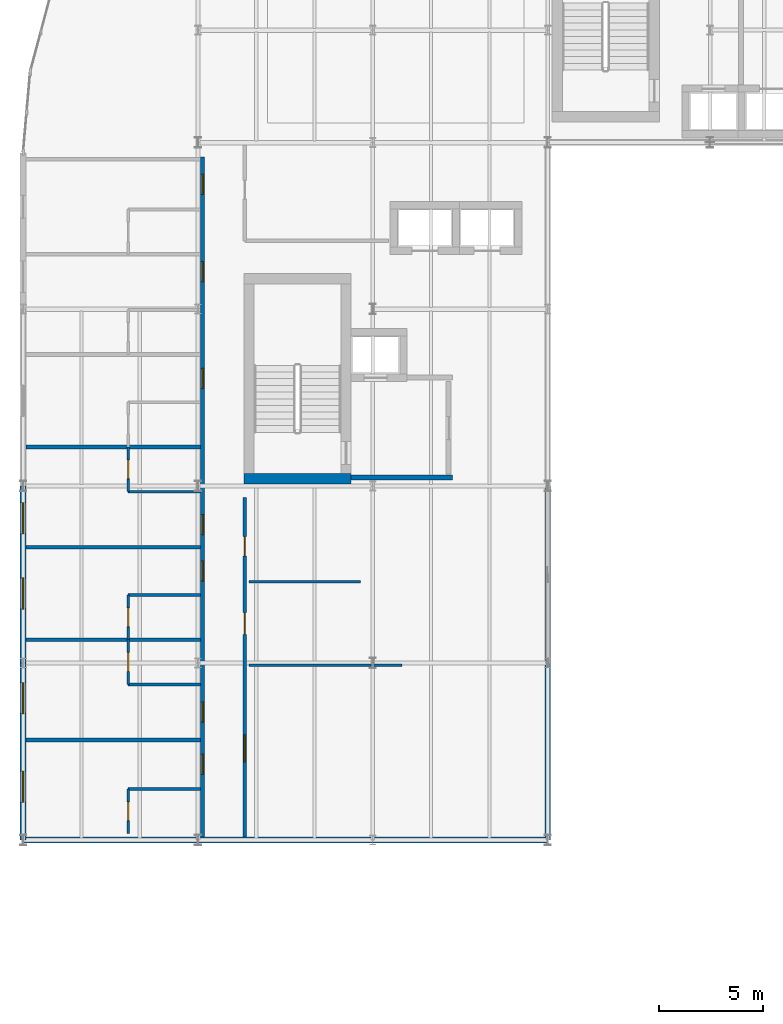
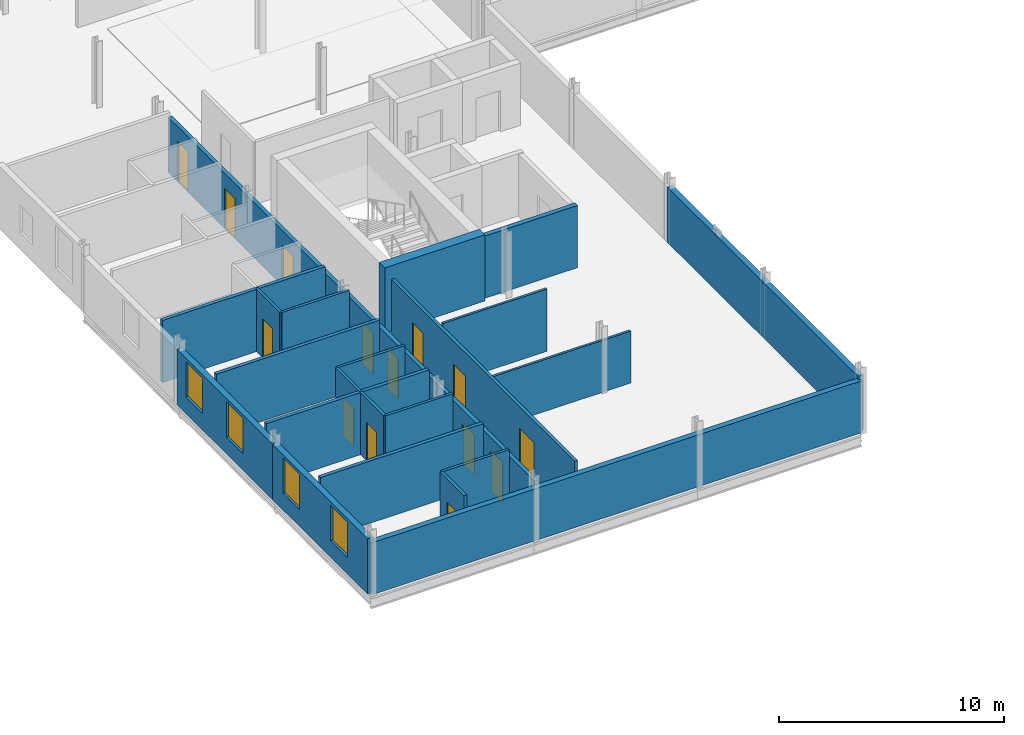
# One storey, part 17 of 30: 22 walls, 14 doors, 4 windows, 18 openings.
"""IFC4 building model written with IfcOpenShell, lengths in metres."""

from ifc_helpers import new_model, si_unit, direction, frame, frame_2d, origin, place, context, subcontext, project, spatial, rectangle, extrude, material, layer, layer_set, type_object, element, fill, save


model = new_model("IFC4")

# Units and contexts
model_context = context("Model", 3, precision=1e-05, world=origin(), true_north=direction((0.0, 1.0)))
body_context = subcontext(model_context, "Body", "Model", "MODEL_VIEW")
ifc_project = project(units=[si_unit("LENGTHUNIT", "METRE"), si_unit("AREAUNIT", "SQUARE_METRE"), si_unit("VOLUMEUNIT", "CUBIC_METRE"), si_unit("PLANEANGLEUNIT", "RADIAN"), si_unit("MASSUNIT", "GRAM", prefix="KILO")], contexts=[model_context])

# Site, building, storey
site_placement = place(None, origin())
site = spatial("IfcSite", under=ifc_project, at=site_placement, CompositionType="ELEMENT")
building_placement = place(site_placement, origin())
building = spatial("IfcBuilding", under=site, at=building_placement, Name="Sefraquen Railside Congress Hotel", CompositionType="ELEMENT")
storey_placement = place(building_placement, frame((0.0, 0.0, 35.39990234375)))
storey = spatial("IfcBuildingStorey", under=building, at=storey_placement, Name="L08", CompositionType="ELEMENT", Elevation=35.39990234375)

# Walls
ifc_material_1 = material(Name="Concrete C50/60", Category="concrete")
ifc_layer_1 = layer(ifc_material_1, 0.5)
ifc_layer_set_1 = layer_set([ifc_layer_1], Name="Concrete C50/60")
wall_type_1 = type_object("IfcWallType", Name="TW-CW-500", PredefinedType="SHEAR", material=ifc_layer_set_1)
wall_1_placement = place(storey_placement, frame((10.60009765625, 79.85009765625, 0.0), z_axis=(0.0, 0.0, 1.0), x_axis=(1.0, 0.0, 0.0)))
element("IfcWall", 1, at=wall_1_placement, inside=storey, type_object=wall_type_1, Name="Core shear wall ST-H01 S L08", PredefinedType="SHEAR", context=body_context, shape_type="SweptSolid", body=[
    extrude(rectangle(XDim=5.159912109375, YDim=0.5, at=frame_2d((2.580078125, 0.0))), origin(), (0.0, 0.0, 1.0), 3.60009765625),
])
ifc_material_2 = material(Name="Ochre Rabat calcarenite limestone and Concrete C40/50 backing", Category="masonry")
ifc_layer_2 = layer(ifc_material_2, 0.280029296875)
ifc_layer_set_2 = layer_set([ifc_layer_2], Name="Ochre Rabat calcarenite limestone and Concrete C40/50 backing")
wall_type_2 = type_object("IfcWallType", Name="TW-EW-280", PredefinedType="STANDARD", material=ifc_layer_set_2)
wall_2_placement = place(storey_placement, frame((0.0, 62.5, 0.0), z_axis=(0.0, 0.0, 1.0), x_axis=(1.0, 0.0, 0.0)))
element("IfcWall", 2, at=wall_2_placement, inside=storey, type_object=wall_type_2, Name="Hotel L08 south-west return wall", PredefinedType="STANDARD", context=body_context, shape_type="SweptSolid", body=[
    extrude(rectangle(XDim=25.199951171875, YDim=0.280029296875, at=frame_2d((12.60009765625, 0.0))), origin(), (0.0, 0.0, 1.0), 2.820068359375),
])
wall_3_placement = place(storey_placement, frame((25.199951171875, 62.5, 0.0), z_axis=(0.0, 0.0, 1.0), x_axis=(0.0, 1.0, 0.0)))
element("IfcWall", 3, at=wall_3_placement, inside=storey, type_object=wall_type_2, Name="Hotel L08 courtyard return wall", PredefinedType="STANDARD", context=body_context, shape_type="SweptSolid", body=[
    extrude(rectangle(XDim=17.0, YDim=0.280029296875, at=frame_2d((8.5, 0.0))), origin(), (0.0, 0.0, 1.0), 3.010009765625),
])

# Wall, openings, windows
ifc_layer_3 = layer(ifc_material_2, 0.300048828125)
ifc_layer_set_3 = layer_set([ifc_layer_3], Name="Ochre Rabat calcarenite limestone and Concrete C40/50 backing")
wall_type_3 = type_object("IfcWallType", Name="TW-EW-300", PredefinedType="STANDARD", material=ifc_layer_set_3)
wall_4_placement = place(storey_placement, frame((0.0, 62.5, 0.0), z_axis=(0.0, 0.0, 1.0), x_axis=(0.0, 1.0, 0.0)))
wall_4 = element("IfcWall", 4, at=wall_4_placement, inside=storey, type_object=wall_type_3, Name="Hotel L08 West Forecourt facade wall", PredefinedType="STANDARD", context=body_context, shape_type="SweptSolid", body=[
    extrude(rectangle(XDim=8.5, YDim=0.300048828125, at=frame_2d((4.25, 0.0))), origin(), (0.0, 0.0, 1.0), 3.010009765625),
])
opening_1_placement = place(wall_4_placement, frame((1.802001953125, 0.0, 0.89990234375)))
opening_1 = element("IfcOpeningElement", 5, at=opening_1_placement, cuts=wall_4, Name="Opening WN-15", PredefinedType="OPENING", context=body_context, shape_type="SweptSolid", body=[
    extrude(rectangle(XDim=1.5, YDim=1.929931640625, at=frame_2d((0.75, 0.96484375))), frame((0.0, 0.159912109375, 0.0), z_axis=(0.0, -1.0, 0.0), x_axis=(1.0, 0.0, 0.0)), (0.0, 0.0, 1.0), 0.320068359375),
])
opening_2_placement = place(wall_4_placement, frame((6.06201171875, 0.0, 0.89990234375)))
opening_2 = element("IfcOpeningElement", 6, at=opening_2_placement, cuts=wall_4, Name="Opening WN-16", PredefinedType="OPENING", context=body_context, shape_type="SweptSolid", body=[
    extrude(rectangle(XDim=1.5, YDim=1.929931640625, at=frame_2d((0.75, 0.96484375))), frame((0.0, 0.159912109375, 0.0), z_axis=(0.0, -1.0, 0.0), x_axis=(1.0, 0.0, 0.0)), (0.0, 0.0, 1.0), 0.320068359375),
])
ifc_material_3 = material(Name="Solar-control low-E double glazing in bronze-anodised frame", Category="glass")
window_type_1 = type_object("IfcWindowType", Name="TWN-W-15", PartitioningType="DOUBLE_PANEL_VERTICAL", PredefinedType="WINDOW", material=ifc_material_3)
window_1_placement = place(opening_1_placement, origin())
window_1 = element("IfcWindow", 7, at=window_1_placement, inside=storey, type_object=window_type_1, Name="Guest room west window SP-L08-RM-027", OverallHeight=1.929931640625, OverallWidth=1.5, PartitioningType="DOUBLE_PANEL_VERTICAL", PredefinedType="WINDOW", context=body_context, shape_type="SweptSolid", body=[
    extrude(rectangle(XDim=1.5, YDim=1.929931640625, at=frame_2d((0.75, 0.96484375))), frame((0.0, 0.030029296875, 0.0), z_axis=(0.0, -1.0, 0.0), x_axis=(1.0, 0.0, 0.0)), (0.0, 0.0, 1.0), 0.06005859375),
])
fill(opening_1, window_1)
window_type_2 = type_object("IfcWindowType", Name="TWN-W-16", PartitioningType="DOUBLE_PANEL_VERTICAL", PredefinedType="WINDOW", material=ifc_material_3)
window_2_placement = place(opening_2_placement, origin())
window_2 = element("IfcWindow", 8, at=window_2_placement, inside=storey, type_object=window_type_2, Name="Guest room west window SP-L08-RM-028", OverallHeight=1.929931640625, OverallWidth=1.5, PartitioningType="DOUBLE_PANEL_VERTICAL", PredefinedType="WINDOW", context=body_context, shape_type="SweptSolid", body=[
    extrude(rectangle(XDim=1.5, YDim=1.929931640625, at=frame_2d((0.75, 0.96484375))), frame((0.0, 0.030029296875, 0.0), z_axis=(0.0, -1.0, 0.0), x_axis=(1.0, 0.0, 0.0)), (0.0, 0.0, 1.0), 0.06005859375),
])
fill(opening_2, window_2)

wall_5_placement = place(storey_placement, frame((0.0, 71.0, 0.0), z_axis=(0.0, 0.0, 1.0), x_axis=(0.0, 1.0, 0.0)))
wall_5 = element("IfcWall", 9, at=wall_5_placement, inside=storey, type_object=wall_type_3, Name="Hotel L08 West Forecourt facade wall", PredefinedType="STANDARD", context=body_context, shape_type="SweptSolid", body=[
    extrude(rectangle(XDim=8.5, YDim=0.300048828125, at=frame_2d((4.25, 0.0))), origin(), (0.0, 0.0, 1.0), 3.010009765625),
])
opening_3_placement = place(wall_5_placement, frame((2.590087890625, 0.0, 0.89990234375)))
opening_3 = element("IfcOpeningElement", 10, at=opening_3_placement, cuts=wall_5, Name="Opening WN-17", PredefinedType="OPENING", context=body_context, shape_type="SweptSolid", body=[
    extrude(rectangle(XDim=1.5, YDim=1.929931640625, at=frame_2d((0.75, 0.96484375))), frame((0.0, 0.159912109375, 0.0), z_axis=(0.0, -1.0, 0.0), x_axis=(1.0, 0.0, 0.0)), (0.0, 0.0, 1.0), 0.320068359375),
])
opening_4_placement = place(wall_5_placement, frame((6.199951171875, 0.0, 0.89990234375)))
opening_4 = element("IfcOpeningElement", 11, at=opening_4_placement, cuts=wall_5, Name="Opening WN-18", PredefinedType="OPENING", context=body_context, shape_type="SweptSolid", body=[
    extrude(rectangle(XDim=1.5, YDim=1.929931640625, at=frame_2d((0.75, 0.96484375))), frame((0.0, 0.159912109375, 0.0), z_axis=(0.0, -1.0, 0.0), x_axis=(1.0, 0.0, 0.0)), (0.0, 0.0, 1.0), 0.320068359375),
])
window_type_3 = type_object("IfcWindowType", Name="TWN-W-17", PartitioningType="DOUBLE_PANEL_VERTICAL", PredefinedType="WINDOW", material=ifc_material_3)
window_3_placement = place(opening_3_placement, origin())
window_3 = element("IfcWindow", 12, at=window_3_placement, inside=storey, type_object=window_type_3, Name="Guest room west window SP-L08-RM-029", OverallHeight=1.929931640625, OverallWidth=1.5, PartitioningType="DOUBLE_PANEL_VERTICAL", PredefinedType="WINDOW", context=body_context, shape_type="SweptSolid", body=[
    extrude(rectangle(XDim=1.5, YDim=1.929931640625, at=frame_2d((0.75, 0.96484375))), frame((0.0, 0.030029296875, 0.0), z_axis=(0.0, -1.0, 0.0), x_axis=(1.0, 0.0, 0.0)), (0.0, 0.0, 1.0), 0.06005859375),
])
fill(opening_3, window_3)
window_type_4 = type_object("IfcWindowType", Name="TWN-W-18", PartitioningType="DOUBLE_PANEL_VERTICAL", PredefinedType="WINDOW", material=ifc_material_3)
window_4_placement = place(opening_4_placement, origin())
window_4 = element("IfcWindow", 13, at=window_4_placement, inside=storey, type_object=window_type_4, Name="Guest room west window SP-L08-RM-030", OverallHeight=1.929931640625, OverallWidth=1.5, PartitioningType="DOUBLE_PANEL_VERTICAL", PredefinedType="WINDOW", context=body_context, shape_type="SweptSolid", body=[
    extrude(rectangle(XDim=1.5, YDim=1.929931640625, at=frame_2d((0.75, 0.96484375))), frame((0.0, 0.030029296875, 0.0), z_axis=(0.0, -1.0, 0.0), x_axis=(1.0, 0.0, 0.0)), (0.0, 0.0, 1.0), 0.06005859375),
])
fill(opening_4, window_4)

# Walls
ifc_material_4 = material(Name="Concrete C40/50", Category="concrete")
ifc_layer_4 = layer(ifc_material_4, 0.239990234375)
ifc_layer_set_4 = layer_set([ifc_layer_4], Name="Concrete C40/50")
wall_type_4 = type_object("IfcWallType", Name="TW-FW-240", PredefinedType="STANDARD", material=ifc_layer_set_4)
wall_6_placement = place(storey_placement, frame((15.760009765625, 79.89990234375, 0.0), z_axis=(0.0, 0.0, 1.0), x_axis=(1.0, 0.0, 0.0)))
element("IfcWall", 14, at=wall_6_placement, inside=storey, type_object=wall_type_4, Name="Firefighting Lift Lobby FFL-01 S fire wall L08", PredefinedType="STANDARD", context=body_context, shape_type="SweptSolid", body=[
    extrude(rectangle(XDim=4.860107421875, YDim=0.239990234375, at=frame_2d((2.43017578125, 0.0))), origin(), (0.0, 0.0, 1.0), 3.380126953125),
])
ifc_material_5 = material(Name="Gypsum board on metal stud", Category="gypsum")
ifc_layer_5 = layer(ifc_material_5, 0.1201171875)
ifc_layer_set_5 = layer_set([ifc_layer_5], Name="Gypsum board on metal stud")
wall_type_5 = type_object("IfcWallType", Name="TW-PW-120", PredefinedType="PARTITIONING", material=ifc_layer_set_5)
wall_7_placement = place(storey_placement, frame((10.85009765625, 70.89990234375, 0.0), z_axis=(0.0, 0.0, 1.0), x_axis=(1.0, 0.0, 0.0)))
element("IfcWall", 15, at=wall_7_placement, inside=storey, type_object=wall_type_5, Name="Lounge-pantry divider L08", PredefinedType="PARTITIONING", context=body_context, shape_type="SweptSolid", body=[
    extrude(rectangle(XDim=7.349853515625, YDim=0.1201171875, at=frame_2d((3.6748046875, 0.0))), origin(), (0.0, 0.0, 1.0), 2.820068359375),
])
wall_8_placement = place(storey_placement, frame((10.85009765625, 74.89990234375, 0.0), z_axis=(0.0, 0.0, 1.0), x_axis=(1.0, 0.0, 0.0)))
element("IfcWall", 16, at=wall_8_placement, inside=storey, type_object=wall_type_5, Name="Pantry-WC divider L08", PredefinedType="PARTITIONING", context=body_context, shape_type="SweptSolid", body=[
    extrude(rectangle(XDim=5.349853515625, YDim=0.1201171875, at=frame_2d((2.6748046875, 0.0))), origin(), (0.0, 0.0, 1.0), 3.380126953125),
])
ifc_material_6 = material(Name="Moisture-resistant gypsum board", Category="gypsum")
ifc_layer_6 = layer(ifc_material_6, 0.139892578125)
ifc_layer_set_6 = layer_set([ifc_layer_6], Name="Moisture-resistant gypsum board")
wall_type_6 = type_object("IfcWallType", Name="TW-PW-140", PredefinedType="PARTITIONING", material=ifc_layer_set_6)
wall_9_placement = place(storey_placement, frame((5.050048828125, 64.949951171875, 0.0), z_axis=(0.0, 0.0, 1.0), x_axis=(1.0, 0.0, 0.0)))
element("IfcWall", 17, at=wall_9_placement, inside=storey, type_object=wall_type_6, Name="West en-suite bathroom north wall RM-027", PredefinedType="PARTITIONING", context=body_context, shape_type="SweptSolid", body=[
    extrude(rectangle(XDim=3.469970703125, YDim=0.139892578125, at=frame_2d((1.73486328125, 0.0))), origin(), (0.0, 0.0, 1.0), 3.380126953125),
])

# Wall, opening, door
wall_10_placement = place(storey_placement, frame((5.050048828125, 62.800048828125, 0.0), z_axis=(0.0, 0.0, 1.0), x_axis=(0.0, 1.0, 0.0)))
wall_10 = element("IfcWall", 18, at=wall_10_placement, inside=storey, type_object=wall_type_6, Name="West en-suite bathroom west wall RM-027", PredefinedType="PARTITIONING", context=body_context, shape_type="SweptSolid", body=[
    extrude(rectangle(XDim=2.14990234375, YDim=0.139892578125, at=frame_2d((1.074951171875, 0.0))), origin(), (0.0, 0.0, 1.0), 3.380126953125),
])
opening_5_placement = place(wall_10_placement, frame((0.625, 0.0, 0.0)))
opening_5 = element("IfcOpeningElement", 19, at=opening_5_placement, cuts=wall_10, Name="Opening ID-02", PredefinedType="OPENING", context=body_context, shape_type="SweptSolid", body=[
    extrude(rectangle(XDim=0.89990234375, YDim=2.10009765625, at=frame_2d((0.449951171875, 1.050048828125))), frame((0.0, 0.079833984375, 0.0), z_axis=(0.0, -1.0, 0.0), x_axis=(1.0, 0.0, 0.0)), (0.0, 0.0, 1.0), 0.159912109375),
])
ifc_material_7 = material(Name="Lacquered cedar joinery", Category="wood")
door_type_1 = type_object("IfcDoorType", Name="TD-ID-02", OperationType="NOTDEFINED", PredefinedType="DOOR", material=ifc_material_7)
door_1_placement = place(opening_5_placement, frame((0.89990234375, 0.0, 0.0), z_axis=(0.0, 0.0, 1.0), x_axis=(-1.0, 0.0, 0.0)))
door_1 = element("IfcDoor", 20, at=door_1_placement, inside=storey, type_object=door_type_1, Name="En-suite bathroom door RM-027", OperationType="SINGLE_SWING_LEFT", OverallHeight=2.10009765625, OverallWidth=0.89990234375, PredefinedType="DOOR", context=body_context, shape_type="SweptSolid", body=[
    extrude(rectangle(XDim=0.89990234375, YDim=2.10009765625, at=frame_2d((0.449951171875, 1.050048828125))), frame((0.0, 0.02490234375, 0.0), z_axis=(0.0, -1.0, 0.0), x_axis=(1.0, 0.0, 0.0)), (0.0, 0.0, 1.0), 0.050048828125),
])
fill(opening_5, door_1)

# Wall
wall_11_placement = place(storey_placement, frame((5.050048828125, 69.969970703125, 0.0), z_axis=(0.0, 0.0, 1.0), x_axis=(1.0, 0.0, 0.0)))
element("IfcWall", 21, at=wall_11_placement, inside=storey, type_object=wall_type_6, Name="West en-suite bathroom south wall RM-028", PredefinedType="PARTITIONING", context=body_context, shape_type="SweptSolid", body=[
    extrude(rectangle(XDim=3.469970703125, YDim=0.139892578125, at=frame_2d((1.73486328125, 0.0))), origin(), (0.0, 0.0, 1.0), 3.380126953125),
])

# Wall, opening, door
wall_12_placement = place(storey_placement, frame((5.050048828125, 69.969970703125, 0.0), z_axis=(0.0, 0.0, 1.0), x_axis=(0.0, 1.0, 0.0)))
wall_12 = element("IfcWall", 22, at=wall_12_placement, inside=storey, type_object=wall_type_6, Name="West en-suite bathroom west wall RM-028", PredefinedType="PARTITIONING", context=body_context, shape_type="SweptSolid", body=[
    extrude(rectangle(XDim=2.150146484375, YDim=0.139892578125, at=frame_2d((1.0751953125, 0.0))), origin(), (0.0, 0.0, 1.0), 3.380126953125),
])
opening_6_placement = place(wall_12_placement, frame((0.625, 0.0, 0.0)))
opening_6 = element("IfcOpeningElement", 23, at=opening_6_placement, cuts=wall_12, Name="Opening ID-02", PredefinedType="OPENING", context=body_context, shape_type="SweptSolid", body=[
    extrude(rectangle(XDim=0.89990234375, YDim=2.10009765625, at=frame_2d((0.449951171875, 1.050048828125))), frame((0.0, 0.079833984375, 0.0), z_axis=(0.0, -1.0, 0.0), x_axis=(1.0, 0.0, 0.0)), (0.0, 0.0, 1.0), 0.159912109375),
])
door_2_placement = place(opening_6_placement, frame((0.89990234375, 0.0, 0.0), z_axis=(0.0, 0.0, 1.0), x_axis=(-1.0, 0.0, 0.0)))
door_2 = element("IfcDoor", 24, at=door_2_placement, inside=storey, type_object=door_type_1, Name="En-suite bathroom door RM-028", OperationType="SINGLE_SWING_LEFT", OverallHeight=2.10009765625, OverallWidth=0.89990234375, PredefinedType="DOOR", context=body_context, shape_type="SweptSolid", body=[
    extrude(rectangle(XDim=0.89990234375, YDim=2.10009765625, at=frame_2d((0.449951171875, 1.050048828125))), frame((0.0, 0.02490234375, 0.0), z_axis=(0.0, -1.0, 0.0), x_axis=(1.0, 0.0, 0.0)), (0.0, 0.0, 1.0), 0.050048828125),
])
fill(opening_6, door_2)

# Wall
wall_13_placement = place(storey_placement, frame((5.050048828125, 74.27001953125, 0.0), z_axis=(0.0, 0.0, 1.0), x_axis=(1.0, 0.0, 0.0)))
element("IfcWall", 25, at=wall_13_placement, inside=storey, type_object=wall_type_6, Name="West en-suite bathroom north wall RM-029", PredefinedType="PARTITIONING", context=body_context, shape_type="SweptSolid", body=[
    extrude(rectangle(XDim=3.469970703125, YDim=0.139892578125, at=frame_2d((1.73486328125, 0.0))), origin(), (0.0, 0.0, 1.0), 3.380126953125),
])

# Wall, opening, door
wall_14_placement = place(storey_placement, frame((5.050048828125, 72.1201171875, 0.0), z_axis=(0.0, 0.0, 1.0), x_axis=(0.0, 1.0, 0.0)))
wall_14 = element("IfcWall", 26, at=wall_14_placement, inside=storey, type_object=wall_type_6, Name="West en-suite bathroom west wall RM-029", PredefinedType="PARTITIONING", context=body_context, shape_type="SweptSolid", body=[
    extrude(rectangle(XDim=2.14990234375, YDim=0.139892578125, at=frame_2d((1.074951171875, 0.0))), origin(), (0.0, 0.0, 1.0), 3.380126953125),
])
opening_7_placement = place(wall_14_placement, frame((0.625, 0.0, 0.0)))
opening_7 = element("IfcOpeningElement", 27, at=opening_7_placement, cuts=wall_14, Name="Opening ID-02", PredefinedType="OPENING", context=body_context, shape_type="SweptSolid", body=[
    extrude(rectangle(XDim=0.89990234375, YDim=2.10009765625, at=frame_2d((0.449951171875, 1.050048828125))), frame((0.0, 0.079833984375, 0.0), z_axis=(0.0, -1.0, 0.0), x_axis=(1.0, 0.0, 0.0)), (0.0, 0.0, 1.0), 0.159912109375),
])
door_3_placement = place(opening_7_placement, frame((0.89990234375, 0.0, 0.0), z_axis=(0.0, 0.0, 1.0), x_axis=(-1.0, 0.0, 0.0)))
door_3 = element("IfcDoor", 28, at=door_3_placement, inside=storey, type_object=door_type_1, Name="En-suite bathroom door RM-029", OperationType="SINGLE_SWING_LEFT", OverallHeight=2.10009765625, OverallWidth=0.89990234375, PredefinedType="DOOR", context=body_context, shape_type="SweptSolid", body=[
    extrude(rectangle(XDim=0.89990234375, YDim=2.10009765625, at=frame_2d((0.449951171875, 1.050048828125))), frame((0.0, 0.02490234375, 0.0), z_axis=(0.0, -1.0, 0.0), x_axis=(1.0, 0.0, 0.0)), (0.0, 0.0, 1.0), 0.050048828125),
])
fill(opening_7, door_3)

# Wall
wall_15_placement = place(storey_placement, frame((5.050048828125, 79.22705078125, 0.0), z_axis=(0.0, 0.0, 1.0), x_axis=(1.0, 0.0, 0.0)))
element("IfcWall", 29, at=wall_15_placement, inside=storey, type_object=wall_type_6, Name="West en-suite bathroom south wall RM-030", PredefinedType="PARTITIONING", context=body_context, shape_type="SweptSolid", body=[
    extrude(rectangle(XDim=3.469970703125, YDim=0.139892578125, at=frame_2d((1.73486328125, 0.0))), origin(), (0.0, 0.0, 1.0), 3.380126953125),
])

# Wall, opening, door
wall_16_placement = place(storey_placement, frame((5.050048828125, 79.22705078125, 0.0), z_axis=(0.0, 0.0, 1.0), x_axis=(0.0, 1.0, 0.0)))
wall_16 = element("IfcWall", 30, at=wall_16_placement, inside=storey, type_object=wall_type_6, Name="West en-suite bathroom west wall RM-030", PredefinedType="PARTITIONING", context=body_context, shape_type="SweptSolid", body=[
    extrude(rectangle(XDim=2.14990234375, YDim=0.139892578125, at=frame_2d((1.074951171875, 0.0))), origin(), (0.0, 0.0, 1.0), 3.380126953125),
])
opening_8_placement = place(wall_16_placement, frame((0.625, 0.0, 0.0)))
opening_8 = element("IfcOpeningElement", 31, at=opening_8_placement, cuts=wall_16, Name="Opening ID-02", PredefinedType="OPENING", context=body_context, shape_type="SweptSolid", body=[
    extrude(rectangle(XDim=0.89990234375, YDim=2.10009765625, at=frame_2d((0.449951171875, 1.050048828125))), frame((0.0, 0.079833984375, 0.0), z_axis=(0.0, -1.0, 0.0), x_axis=(1.0, 0.0, 0.0)), (0.0, 0.0, 1.0), 0.159912109375),
])
door_4_placement = place(opening_8_placement, frame((0.89990234375, 0.0, 0.0), z_axis=(0.0, 0.0, 1.0), x_axis=(-1.0, 0.0, 0.0)))
door_4 = element("IfcDoor", 32, at=door_4_placement, inside=storey, type_object=door_type_1, Name="En-suite bathroom door RM-030", OperationType="SINGLE_SWING_LEFT", OverallHeight=2.10009765625, OverallWidth=0.89990234375, PredefinedType="DOOR", context=body_context, shape_type="SweptSolid", body=[
    extrude(rectangle(XDim=0.89990234375, YDim=2.10009765625, at=frame_2d((0.449951171875, 1.050048828125))), frame((0.0, 0.02490234375, 0.0), z_axis=(0.0, -1.0, 0.0), x_axis=(1.0, 0.0, 0.0)), (0.0, 0.0, 1.0), 0.050048828125),
])
fill(opening_8, door_4)

# Wall, openings, doors
ifc_layer_7 = layer(ifc_material_6, 0.159912109375)
ifc_layer_set_7 = layer_set([ifc_layer_7], Name="Moisture-resistant gypsum board")
wall_type_7 = type_object("IfcWallType", Name="TW-PW-160", PredefinedType="PARTITIONING", material=ifc_layer_set_7)
wall_17_placement = place(storey_placement, frame((10.64990234375, 62.639892578125, 0.0), z_axis=(0.0, 0.0, 1.0), x_axis=(0.0, 1.0, 0.0)))
wall_17 = element("IfcWall", 33, at=wall_17_placement, inside=storey, type_object=wall_type_7, Name="Hotel L08 west-return corridor E1 partition", PredefinedType="PARTITIONING", context=body_context, shape_type="SweptSolid", body=[
    extrude(rectangle(XDim=16.31005859375, YDim=0.159912109375, at=frame_2d((8.155029296875, 0.0))), origin(), (0.0, 0.0, 1.0), 3.380126953125),
])
opening_9_placement = place(wall_17_placement, frame((3.610107421875, 0.0, 0.0)))
opening_9 = element("IfcOpeningElement", 34, at=opening_9_placement, cuts=wall_17, Name="Opening MD-02", PredefinedType="OPENING", context=body_context, shape_type="SweptSolid", body=[
    extrude(rectangle(XDim=1.300048828125, YDim=2.199951171875, at=frame_2d((0.64990234375, 1.10009765625))), frame((0.0, 0.08984375, 0.0), z_axis=(0.0, -1.0, 0.0), x_axis=(1.0, 0.0, 0.0)), (0.0, 0.0, 1.0), 0.179931640625),
])
opening_10_placement = place(wall_17_placement, frame((9.735107421875, 0.0, 0.0)))
opening_10 = element("IfcOpeningElement", 35, at=opening_10_placement, cuts=wall_17, Name="Opening ID-04", PredefinedType="OPENING", context=body_context, shape_type="SweptSolid", body=[
    extrude(rectangle(XDim=1.050048828125, YDim=2.1201171875, at=frame_2d((0.52490234375, 1.06005859375))), frame((0.0, 0.08984375, 0.0), z_axis=(0.0, -1.0, 0.0), x_axis=(1.0, 0.0, 0.0)), (0.0, 0.0, 1.0), 0.179931640625),
])
opening_11_placement = place(wall_17_placement, frame((13.489990234375, 0.0, 0.0)))
opening_11 = element("IfcOpeningElement", 36, at=opening_11_placement, cuts=wall_17, Name="Opening ID-01", PredefinedType="OPENING", context=body_context, shape_type="SweptSolid", body=[
    extrude(rectangle(XDim=0.93994140625, YDim=2.14990234375, at=frame_2d((0.469970703125, 1.074951171875))), frame((0.0, 0.08984375, 0.0), z_axis=(0.0, -1.0, 0.0), x_axis=(1.0, 0.0, 0.0)), (0.0, 0.0, 1.0), 0.179931640625),
])
door_type_2 = type_object("IfcDoorType", Name="TD-ID-01", OperationType="NOTDEFINED", PredefinedType="DOOR", material=ifc_material_7)
door_5_placement = place(opening_11_placement, origin())
door_5 = element("IfcDoor", 37, at=door_5_placement, inside=storey, type_object=door_type_2, Name="Hotel floor Accessible WC door L08", OperationType="SINGLE_SWING_LEFT", OverallHeight=2.14990234375, OverallWidth=0.93994140625, PredefinedType="DOOR", context=body_context, shape_type="SweptSolid", body=[
    extrude(rectangle(XDim=0.93994140625, YDim=2.14990234375, at=frame_2d((0.469970703125, 1.074951171875))), frame((0.0, 0.02490234375, 0.0), z_axis=(0.0, -1.0, 0.0), x_axis=(1.0, 0.0, 0.0)), (0.0, 0.0, 1.0), 0.050048828125),
])
fill(opening_11, door_5)
ifc_material_8 = material(Name="Painted timber", Category="wood")
door_type_3 = type_object("IfcDoorType", Name="TD-ID-04", OperationType="NOTDEFINED", PredefinedType="DOOR", material=ifc_material_8)
door_6_placement = place(opening_10_placement, origin())
door_6 = element("IfcDoor", 38, at=door_6_placement, inside=storey, type_object=door_type_3, Name="Housekeeping pantry door L08", OperationType="SINGLE_SWING_RIGHT", OverallHeight=2.1201171875, OverallWidth=1.050048828125, PredefinedType="DOOR", context=body_context, shape_type="SweptSolid", body=[
    extrude(rectangle(XDim=1.050048828125, YDim=2.1201171875, at=frame_2d((0.52490234375, 1.06005859375))), frame((0.0, 0.02490234375, 0.0), z_axis=(0.0, -1.0, 0.0), x_axis=(1.0, 0.0, 0.0)), (0.0, 0.0, 1.0), 0.050048828125),
])
fill(opening_10, door_6)
ifc_material_9 = material(Name="Acoustic cedar veneer", Category="wood")
door_type_4 = type_object("IfcDoorType", Name="TD-MD-02", OperationType="NOTDEFINED", PredefinedType="DOOR", material=ifc_material_9)
door_7_placement = place(opening_9_placement, origin())
door_7 = element("IfcDoor", 39, at=door_7_placement, inside=storey, type_object=door_type_4, Name="Floor hospitality salon door L08", OperationType="SINGLE_SWING_LEFT", OverallHeight=2.199951171875, OverallWidth=1.300048828125, PredefinedType="DOOR", context=body_context, shape_type="SweptSolid", body=[
    extrude(rectangle(XDim=1.300048828125, YDim=2.199951171875, at=frame_2d((0.64990234375, 1.10009765625))), frame((0.0, 0.02490234375, 0.0), z_axis=(0.0, -1.0, 0.0), x_axis=(1.0, 0.0, 0.0)), (0.0, 0.0, 1.0), 0.050048828125),
])
fill(opening_9, door_7)

# Walls
ifc_material_10 = material(Name="Acoustic gypsum board on metal stud", Category="gypsum")
ifc_layer_8 = layer(ifc_material_10, 0.179931640625)
ifc_layer_set_8 = layer_set([ifc_layer_8], Name="Acoustic gypsum board on metal stud")
wall_type_8 = type_object("IfcWallType", Name="TW-PW-180", PredefinedType="PARTITIONING", material=ifc_layer_set_8)
for number, where, z_axis, x_axis, name in (
    (40, (0.14990234375, 67.302978515625, 0.0), (0.0, 0.0, 1.0), (1.0, 0.0, 0.0), "West return guest room demising wall RM-027"),
    (41, (0.14990234375, 72.1201171875, 0.0), (0.0, 0.0, 1.0), (1.0, 0.0, 0.0), "West return guest room demising wall RM-028"),
    (42, (0.14990234375, 76.56005859375, 0.0), (0.0, 0.0, 1.0), (1.0, 0.0, 0.0), "West return guest room demising wall RM-029"),
    (43, (0.14990234375, 81.376953125, 0.0), (0.0, 0.0, 1.0), (1.0, 0.0, 0.0), "West return guest room demising wall RM-030"),
):
    element("IfcWall", number, at=place(storey_placement, frame(where, z_axis=z_axis, x_axis=x_axis)), inside=storey, type_object=wall_type_8, Name=name, PredefinedType="PARTITIONING", context=body_context, shape_type="SweptSolid", body=[
        extrude(rectangle(XDim=8.3701171875, YDim=0.179931640625, at=frame_2d((4.18505859375, 0.0))), origin(), (0.0, 0.0, 1.0), 3.380126953125),
    ])

# Wall, openings, doors
ifc_layer_9 = layer(ifc_material_10, 0.199951171875)
ifc_layer_set_9 = layer_set([ifc_layer_9], Name="Acoustic gypsum board on metal stud")
wall_type_9 = type_object("IfcWallType", Name="TW-PW-200", PredefinedType="PARTITIONING", material=ifc_layer_set_9)
wall_18_placement = place(storey_placement, frame((8.6201171875, 62.639892578125, 0.0), z_axis=(0.0, 0.0, 1.0), x_axis=(0.0, 1.0, 0.0)))
wall_18 = element("IfcWall", 44, at=wall_18_placement, inside=storey, type_object=wall_type_9, Name="Hotel L08 west-return corridor W partition", PredefinedType="PARTITIONING", context=body_context, shape_type="SweptSolid", body=[
    extrude(rectangle(XDim=32.66015625, YDim=0.199951171875, at=frame_2d((16.330078125, 0.0))), origin(), (0.0, 0.0, 1.0), 3.010009765625),
])
opening_12_placement = place(wall_18_placement, frame((3.006103515625, 0.0, 0.0)))
opening_12 = element("IfcOpeningElement", 45, at=opening_12_placement, cuts=wall_18, Name="Opening GD-02", PredefinedType="OPENING", context=body_context, shape_type="SweptSolid", body=[
    extrude(rectangle(XDim=0.9599609375, YDim=2.199951171875, at=frame_2d((0.47998046875, 1.10009765625))), frame((0.0, 0.10986328125, 0.0), z_axis=(0.0, -1.0, 0.0), x_axis=(1.0, 0.0, 0.0)), (0.0, 0.0, 1.0), 0.219970703125),
])
opening_13_placement = place(wall_18_placement, frame((5.51611328125, 0.0, 0.0)))
opening_13 = element("IfcOpeningElement", 46, at=opening_13_placement, cuts=wall_18, Name="Opening GD-02", PredefinedType="OPENING", context=body_context, shape_type="SweptSolid", body=[
    extrude(rectangle(XDim=0.9599609375, YDim=2.199951171875, at=frame_2d((0.47998046875, 1.10009765625))), frame((0.0, 0.10986328125, 0.0), z_axis=(0.0, -1.0, 0.0), x_axis=(1.0, 0.0, 0.0)), (0.0, 0.0, 1.0), 0.219970703125),
])
opening_14_placement = place(wall_18_placement, frame((12.294921875, 0.0, 0.0)))
opening_14 = element("IfcOpeningElement", 47, at=opening_14_placement, cuts=wall_18, Name="Opening GD-02", PredefinedType="OPENING", context=body_context, shape_type="SweptSolid", body=[
    extrude(rectangle(XDim=0.9599609375, YDim=2.199951171875, at=frame_2d((0.47998046875, 1.10009765625))), frame((0.0, 0.10986328125, 0.0), z_axis=(0.0, -1.0, 0.0), x_axis=(1.0, 0.0, 0.0)), (0.0, 0.0, 1.0), 0.219970703125),
])
opening_15_placement = place(wall_18_placement, frame((14.52392578125, 0.0, 0.0)))
opening_15 = element("IfcOpeningElement", 48, at=opening_15_placement, cuts=wall_18, Name="Opening GD-02", PredefinedType="OPENING", context=body_context, shape_type="SweptSolid", body=[
    extrude(rectangle(XDim=0.9599609375, YDim=2.199951171875, at=frame_2d((0.47998046875, 1.10009765625))), frame((0.0, 0.10986328125, 0.0), z_axis=(0.0, -1.0, 0.0), x_axis=(1.0, 0.0, 0.0)), (0.0, 0.0, 1.0), 0.219970703125),
])
opening_16_placement = place(wall_18_placement, frame((21.552001953125, 0.0, 0.0)))
opening_16 = element("IfcOpeningElement", 49, at=opening_16_placement, cuts=wall_18, Name="Opening GD-02", PredefinedType="OPENING", context=body_context, shape_type="SweptSolid", body=[
    extrude(rectangle(XDim=0.9599609375, YDim=2.199951171875, at=frame_2d((0.47998046875, 1.10009765625))), frame((0.0, 0.10986328125, 0.0), z_axis=(0.0, -1.0, 0.0), x_axis=(1.0, 0.0, 0.0)), (0.0, 0.0, 1.0), 0.219970703125),
])
opening_17_placement = place(wall_18_placement, frame((26.679931640625, 0.0, 0.0)))
opening_17 = element("IfcOpeningElement", 50, at=opening_17_placement, cuts=wall_18, Name="Opening GD-02", PredefinedType="OPENING", context=body_context, shape_type="SweptSolid", body=[
    extrude(rectangle(XDim=0.9599609375, YDim=2.199951171875, at=frame_2d((0.47998046875, 1.10009765625))), frame((0.0, 0.10986328125, 0.0), z_axis=(0.0, -1.0, 0.0), x_axis=(1.0, 0.0, 0.0)), (0.0, 0.0, 1.0), 0.219970703125),
])
opening_18_placement = place(wall_18_placement, frame((30.8720703125, 0.0, 0.0)))
opening_18 = element("IfcOpeningElement", 51, at=opening_18_placement, cuts=wall_18, Name="Opening GD-02", PredefinedType="OPENING", context=body_context, shape_type="SweptSolid", body=[
    extrude(rectangle(XDim=0.9599609375, YDim=2.199951171875, at=frame_2d((0.47998046875, 1.10009765625))), frame((0.0, 0.10986328125, 0.0), z_axis=(0.0, -1.0, 0.0), x_axis=(1.0, 0.0, 0.0)), (0.0, 0.0, 1.0), 0.219970703125),
])
ifc_material_11 = material(Name="Solid Atlas cedar timber fire leaf", Category="wood")
door_type_5 = type_object("IfcDoorType", Name="TD-GD-02", OperationType="NOTDEFINED", PredefinedType="DOOR", material=ifc_material_11)
door_8_placement = place(opening_12_placement, frame((0.9599609375, 0.0, 0.0), z_axis=(0.0, 0.0, 1.0), x_axis=(-1.0, 0.0, 0.0)))
door_8 = element("IfcDoor", 52, at=door_8_placement, inside=storey, type_object=door_type_5, Name="Guest room entrance fire door RM-027", OperationType="SINGLE_SWING_RIGHT", OverallHeight=2.199951171875, OverallWidth=0.9599609375, PredefinedType="DOOR", context=body_context, shape_type="SweptSolid", body=[
    extrude(rectangle(XDim=0.9599609375, YDim=2.199951171875, at=frame_2d((0.47998046875, 1.10009765625))), frame((0.0, 0.02490234375, 0.0), z_axis=(0.0, -1.0, 0.0), x_axis=(1.0, 0.0, 0.0)), (0.0, 0.0, 1.0), 0.050048828125),
])
fill(opening_12, door_8)
door_9_placement = place(opening_13_placement, frame((0.9599609375, 0.0, 0.0), z_axis=(0.0, 0.0, 1.0), x_axis=(-1.0, 0.0, 0.0)))
door_9 = element("IfcDoor", 53, at=door_9_placement, inside=storey, type_object=door_type_5, Name="Guest room entrance fire door RM-028", OperationType="SINGLE_SWING_RIGHT", OverallHeight=2.199951171875, OverallWidth=0.9599609375, PredefinedType="DOOR", context=body_context, shape_type="SweptSolid", body=[
    extrude(rectangle(XDim=0.9599609375, YDim=2.199951171875, at=frame_2d((0.47998046875, 1.10009765625))), frame((0.0, 0.02490234375, 0.0), z_axis=(0.0, -1.0, 0.0), x_axis=(1.0, 0.0, 0.0)), (0.0, 0.0, 1.0), 0.050048828125),
])
fill(opening_13, door_9)
door_10_placement = place(opening_14_placement, frame((0.9599609375, 0.0, 0.0), z_axis=(0.0, 0.0, 1.0), x_axis=(-1.0, 0.0, 0.0)))
door_10 = element("IfcDoor", 54, at=door_10_placement, inside=storey, type_object=door_type_5, Name="Guest room entrance fire door RM-029", OperationType="SINGLE_SWING_RIGHT", OverallHeight=2.199951171875, OverallWidth=0.9599609375, PredefinedType="DOOR", context=body_context, shape_type="SweptSolid", body=[
    extrude(rectangle(XDim=0.9599609375, YDim=2.199951171875, at=frame_2d((0.47998046875, 1.10009765625))), frame((0.0, 0.02490234375, 0.0), z_axis=(0.0, -1.0, 0.0), x_axis=(1.0, 0.0, 0.0)), (0.0, 0.0, 1.0), 0.050048828125),
])
fill(opening_14, door_10)
door_11_placement = place(opening_15_placement, frame((0.9599609375, 0.0, 0.0), z_axis=(0.0, 0.0, 1.0), x_axis=(-1.0, 0.0, 0.0)))
door_11 = element("IfcDoor", 55, at=door_11_placement, inside=storey, type_object=door_type_5, Name="Guest room entrance fire door RM-030", OperationType="SINGLE_SWING_RIGHT", OverallHeight=2.199951171875, OverallWidth=0.9599609375, PredefinedType="DOOR", context=body_context, shape_type="SweptSolid", body=[
    extrude(rectangle(XDim=0.9599609375, YDim=2.199951171875, at=frame_2d((0.47998046875, 1.10009765625))), frame((0.0, 0.02490234375, 0.0), z_axis=(0.0, -1.0, 0.0), x_axis=(1.0, 0.0, 0.0)), (0.0, 0.0, 1.0), 0.050048828125),
])
fill(opening_15, door_11)
door_12_placement = place(opening_16_placement, frame((0.9599609375, 0.0, 0.0), z_axis=(0.0, 0.0, 1.0), x_axis=(-1.0, 0.0, 0.0)))
door_12 = element("IfcDoor", 56, at=door_12_placement, inside=storey, type_object=door_type_5, Name="Guest room entrance fire door RM-031", OperationType="SINGLE_SWING_RIGHT", OverallHeight=2.199951171875, OverallWidth=0.9599609375, PredefinedType="DOOR", context=body_context, shape_type="SweptSolid", body=[
    extrude(rectangle(XDim=0.9599609375, YDim=2.199951171875, at=frame_2d((0.47998046875, 1.10009765625))), frame((0.0, 0.02490234375, 0.0), z_axis=(0.0, -1.0, 0.0), x_axis=(1.0, 0.0, 0.0)), (0.0, 0.0, 1.0), 0.050048828125),
])
fill(opening_16, door_12)
door_13_placement = place(opening_17_placement, frame((0.9599609375, 0.0, 0.0), z_axis=(0.0, 0.0, 1.0), x_axis=(-1.0, 0.0, 0.0)))
door_13 = element("IfcDoor", 57, at=door_13_placement, inside=storey, type_object=door_type_5, Name="Guest room entrance fire door RM-032", OperationType="SINGLE_SWING_RIGHT", OverallHeight=2.199951171875, OverallWidth=0.9599609375, PredefinedType="DOOR", context=body_context, shape_type="SweptSolid", body=[
    extrude(rectangle(XDim=0.9599609375, YDim=2.199951171875, at=frame_2d((0.47998046875, 1.10009765625))), frame((0.0, 0.02490234375, 0.0), z_axis=(0.0, -1.0, 0.0), x_axis=(1.0, 0.0, 0.0)), (0.0, 0.0, 1.0), 0.050048828125),
])
fill(opening_17, door_13)
door_14_placement = place(opening_18_placement, frame((0.9599609375, 0.0, 0.0), z_axis=(0.0, 0.0, 1.0), x_axis=(-1.0, 0.0, 0.0)))
door_14 = element("IfcDoor", 58, at=door_14_placement, inside=storey, type_object=door_type_5, Name="Guest room entrance fire door RM-033", OperationType="SINGLE_SWING_RIGHT", OverallHeight=2.199951171875, OverallWidth=0.9599609375, PredefinedType="DOOR", context=body_context, shape_type="SweptSolid", body=[
    extrude(rectangle(XDim=0.9599609375, YDim=2.199951171875, at=frame_2d((0.47998046875, 1.10009765625))), frame((0.0, 0.02490234375, 0.0), z_axis=(0.0, -1.0, 0.0), x_axis=(1.0, 0.0, 0.0)), (0.0, 0.0, 1.0), 0.050048828125),
])
fill(opening_18, door_14)

save(model, "model.ifc")
